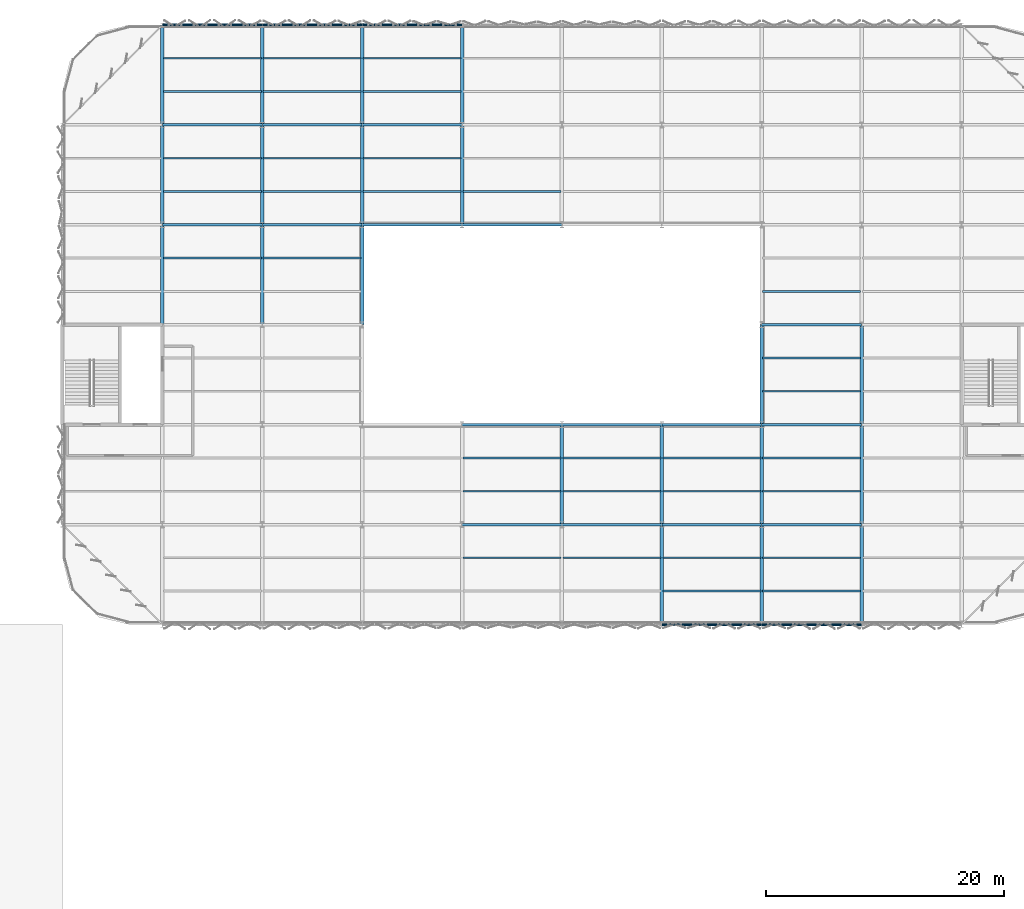
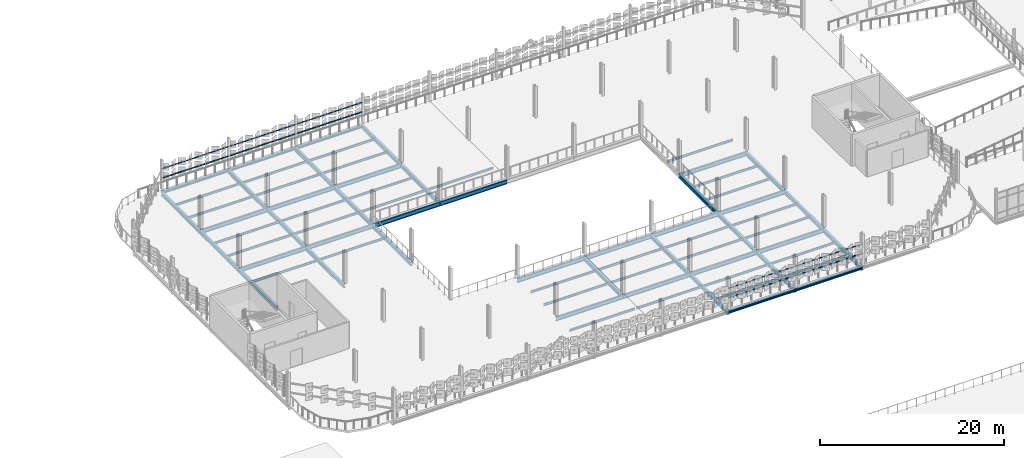
# One storey, part 28 of 69: 83 beams.
"""IFC4 building model written with IfcOpenShell, lengths in metres."""

from ifc_helpers import new_model, si_unit, direction, frame, origin, origin_2d, place, context, subcontext, project, spatial, hollow_rectangle, i_section, extrude, material, material_profile, profile_set, type_object, element, save


model = new_model("IFC4")

# Units and contexts
model_context = context("Model", 3, precision=1e-05, world=origin(), true_north=direction((0.0, 1.0)))
body_context = subcontext(model_context, "Body", "Model", "MODEL_VIEW")
ifc_project = project(units=[si_unit("LENGTHUNIT", "METRE"), si_unit("AREAUNIT", "SQUARE_METRE"), si_unit("VOLUMEUNIT", "CUBIC_METRE"), si_unit("PLANEANGLEUNIT", "RADIAN"), si_unit("MASSUNIT", "GRAM", prefix="KILO")], contexts=[model_context])

# Site, building, storey
site_placement = place(None, origin())
site = spatial("IfcSite", under=ifc_project, at=site_placement, CompositionType="ELEMENT")
building_placement = place(site_placement, origin())
building = spatial("IfcBuilding", under=site, at=building_placement, Name="Qalvenar Corner Mobility Hub", CompositionType="ELEMENT")
storey_placement = place(building_placement, frame((0.0, 0.0, 13.199951171875)))
storey = spatial("IfcBuildingStorey", under=building, at=storey_placement, Name="L03", CompositionType="ELEMENT", Elevation=13.199951171875)

# Beams
ifc_material = material(Name="Steel S355", Category="steel")
ifc_material_profile_1 = material_profile(ifc_material, i_section(OverallWidth=0.300048828125, OverallDepth=0.489990234375, WebThickness=0.011962890625, FlangeThickness=0.02294921875, FilletRadius=0.027099609375, at=origin_2d()), Name="HEA500")
ifc_profile_set_1 = profile_set([ifc_material_profile_1], Name="Steel S355")
beam_type_1 = type_object("IfcBeamType", Name="BM-HEA500", PredefinedType="BEAM", material=ifc_profile_set_1)
beam_1_placement = place(storey_placement, frame((67.199951171875, 92.39990234375, -0.48486328125), z_axis=(0.0, 1.0, 0.0), x_axis=(-1.0, 0.0, 0.0)))
element("IfcBeam", 1, at=beam_1_placement, inside=storey, type_object=beam_type_1, Name="Primary Steel Girder GY-2394", PredefinedType="BEAM", context=body_context, shape_type="SweptSolid", body=[
    extrude(i_section(OverallWidth=0.300048828125, OverallDepth=0.489990234375, WebThickness=0.011962890625, FlangeThickness=0.02294921875, FilletRadius=0.027099609375, at=origin_2d()), origin(), (0.0, 0.0, 1.0), 8.400146484375),
])
beam_2_placement = place(storey_placement, frame((67.199951171875, 100.800048828125, -0.48486328125), z_axis=(0.0, 1.0, 0.0), x_axis=(-1.0, 0.0, 0.0)))
element("IfcBeam", 2, at=beam_2_placement, inside=storey, type_object=beam_type_1, Name="Primary Steel Girder GY-2395", PredefinedType="BEAM", context=body_context, shape_type="SweptSolid", body=[
    extrude(i_section(OverallWidth=0.300048828125, OverallDepth=0.489990234375, WebThickness=0.011962890625, FlangeThickness=0.02294921875, FilletRadius=0.027099609375, at=origin_2d()), origin(), (0.0, 0.0, 1.0), 8.39990234375),
])
for number, where, z_axis, x_axis, name in (
    (3, (67.199951171875, 109.199951171875, -0.48486328125), (0.0, 1.0, 0.0), (-1.0, 0.0, 0.0), "Primary Steel Girder GY-2396"),
    (4, (75.60009765625, 92.39990234375, -0.48486328125), (0.0, 1.0, 0.0), (-1.0, 0.0, 0.0), "Primary Steel Girder GY-2400"),
):
    element("IfcBeam", number, at=place(storey_placement, frame(where, z_axis=z_axis, x_axis=x_axis)), inside=storey, type_object=beam_type_1, Name=name, PredefinedType="BEAM", context=body_context, shape_type="SweptSolid", body=[
        extrude(i_section(OverallWidth=0.300048828125, OverallDepth=0.489990234375, WebThickness=0.011962890625, FlangeThickness=0.02294921875, FilletRadius=0.027099609375, at=origin_2d()), origin(), (0.0, 0.0, 1.0), 8.400146484375),
    ])
beam_3_placement = place(storey_placement, frame((75.60009765625, 100.800048828125, -0.48486328125), z_axis=(0.0, 1.0, 0.0), x_axis=(-1.0, 0.0, 0.0)))
element("IfcBeam", 5, at=beam_3_placement, inside=storey, type_object=beam_type_1, Name="Primary Steel Girder GY-2401", PredefinedType="BEAM", context=body_context, shape_type="SweptSolid", body=[
    extrude(i_section(OverallWidth=0.300048828125, OverallDepth=0.489990234375, WebThickness=0.011962890625, FlangeThickness=0.02294921875, FilletRadius=0.027099609375, at=origin_2d()), origin(), (0.0, 0.0, 1.0), 8.39990234375),
])
for number, where, z_axis, x_axis, name in (
    (6, (75.60009765625, 109.199951171875, -0.48486328125), (0.0, 1.0, 0.0), (-1.0, 0.0, 0.0), "Primary Steel Girder GY-2402"),
    (7, (84.0, 92.39990234375, -0.48486328125), (0.0, 1.0, 0.0), (-1.0, 0.0, 0.0), "Primary Steel Girder GY-2406"),
):
    element("IfcBeam", number, at=place(storey_placement, frame(where, z_axis=z_axis, x_axis=x_axis)), inside=storey, type_object=beam_type_1, Name=name, PredefinedType="BEAM", context=body_context, shape_type="SweptSolid", body=[
        extrude(i_section(OverallWidth=0.300048828125, OverallDepth=0.489990234375, WebThickness=0.011962890625, FlangeThickness=0.02294921875, FilletRadius=0.027099609375, at=origin_2d()), origin(), (0.0, 0.0, 1.0), 8.400146484375),
    ])
beam_4_placement = place(storey_placement, frame((84.0, 100.800048828125, -0.48486328125), z_axis=(0.0, 1.0, 0.0), x_axis=(-1.0, 0.0, 0.0)))
element("IfcBeam", 8, at=beam_4_placement, inside=storey, type_object=beam_type_1, Name="Primary Steel Girder GY-2407", PredefinedType="BEAM", context=body_context, shape_type="SweptSolid", body=[
    extrude(i_section(OverallWidth=0.300048828125, OverallDepth=0.489990234375, WebThickness=0.011962890625, FlangeThickness=0.02294921875, FilletRadius=0.027099609375, at=origin_2d()), origin(), (0.0, 0.0, 1.0), 8.39990234375),
])
beam_5_placement = place(storey_placement, frame((84.0, 109.199951171875, -0.48486328125), z_axis=(0.0, 1.0, 0.0), x_axis=(-1.0, 0.0, 0.0)))
element("IfcBeam", 9, at=beam_5_placement, inside=storey, type_object=beam_type_1, Name="Primary Steel Girder GY-2408", PredefinedType="BEAM", context=body_context, shape_type="SweptSolid", body=[
    extrude(i_section(OverallWidth=0.300048828125, OverallDepth=0.489990234375, WebThickness=0.011962890625, FlangeThickness=0.02294921875, FilletRadius=0.027099609375, at=origin_2d()), origin(), (0.0, 0.0, 1.0), 8.400146484375),
])
beam_6_placement = place(storey_placement, frame((92.39990234375, 100.800048828125, -0.48486328125), z_axis=(0.0, 1.0, 0.0), x_axis=(-1.0, 0.0, 0.0)))
element("IfcBeam", 10, at=beam_6_placement, inside=storey, type_object=beam_type_1, Name="Primary Steel Girder GY-2411", PredefinedType="BEAM", context=body_context, shape_type="SweptSolid", body=[
    extrude(i_section(OverallWidth=0.300048828125, OverallDepth=0.489990234375, WebThickness=0.011962890625, FlangeThickness=0.02294921875, FilletRadius=0.027099609375, at=origin_2d()), origin(), (0.0, 0.0, 1.0), 8.39990234375),
])
beam_7_placement = place(storey_placement, frame((92.39990234375, 109.199951171875, -0.48486328125), z_axis=(0.0, 1.0, 0.0), x_axis=(-1.0, 0.0, 0.0)))
element("IfcBeam", 11, at=beam_7_placement, inside=storey, type_object=beam_type_1, Name="Primary Steel Girder GY-2412", PredefinedType="BEAM", context=body_context, shape_type="SweptSolid", body=[
    extrude(i_section(OverallWidth=0.300048828125, OverallDepth=0.489990234375, WebThickness=0.011962890625, FlangeThickness=0.02294921875, FilletRadius=0.027099609375, at=origin_2d()), origin(), (0.0, 0.0, 1.0), 8.400146484375),
])
beam_8_placement = place(storey_placement, frame((100.800048828125, 75.60009765625, -0.48486328125), z_axis=(0.0, 1.0, 0.0), x_axis=(-1.0, 0.0, 0.0)))
element("IfcBeam", 12, at=beam_8_placement, inside=storey, type_object=beam_type_1, Name="Primary Steel Girder GY-2414", PredefinedType="BEAM", context=body_context, shape_type="SweptSolid", body=[
    extrude(i_section(OverallWidth=0.300048828125, OverallDepth=0.489990234375, WebThickness=0.011962890625, FlangeThickness=0.02294921875, FilletRadius=0.027099609375, at=origin_2d()), origin(), (0.0, 0.0, 1.0), 8.39990234375),
])
beam_9_placement = place(storey_placement, frame((109.199951171875, 67.199951171875, -0.48486328125), z_axis=(0.0, 1.0, 0.0), x_axis=(-1.0, 0.0, 0.0)))
element("IfcBeam", 13, at=beam_9_placement, inside=storey, type_object=beam_type_1, Name="Primary Steel Girder GY-2417", PredefinedType="BEAM", context=body_context, shape_type="SweptSolid", body=[
    extrude(i_section(OverallWidth=0.300048828125, OverallDepth=0.489990234375, WebThickness=0.011962890625, FlangeThickness=0.02294921875, FilletRadius=0.027099609375, at=origin_2d()), origin(), (0.0, 0.0, 1.0), 8.400146484375),
])
beam_10_placement = place(storey_placement, frame((109.199951171875, 75.60009765625, -0.48486328125), z_axis=(0.0, 1.0, 0.0), x_axis=(-1.0, 0.0, 0.0)))
element("IfcBeam", 14, at=beam_10_placement, inside=storey, type_object=beam_type_1, Name="Primary Steel Girder GY-2418", PredefinedType="BEAM", context=body_context, shape_type="SweptSolid", body=[
    extrude(i_section(OverallWidth=0.300048828125, OverallDepth=0.489990234375, WebThickness=0.011962890625, FlangeThickness=0.02294921875, FilletRadius=0.027099609375, at=origin_2d()), origin(), (0.0, 0.0, 1.0), 8.39990234375),
])
beam_11_placement = place(storey_placement, frame((117.60009765625, 67.199951171875, -0.48486328125), z_axis=(0.0, 1.0, 0.0), x_axis=(-1.0, 0.0, 0.0)))
element("IfcBeam", 15, at=beam_11_placement, inside=storey, type_object=beam_type_1, Name="Primary Steel Girder GY-2421", PredefinedType="BEAM", context=body_context, shape_type="SweptSolid", body=[
    extrude(i_section(OverallWidth=0.300048828125, OverallDepth=0.489990234375, WebThickness=0.011962890625, FlangeThickness=0.02294921875, FilletRadius=0.027099609375, at=origin_2d()), origin(), (0.0, 0.0, 1.0), 8.400146484375),
])
for number, where, z_axis, x_axis, name in (
    (16, (117.60009765625, 75.60009765625, -0.48486328125), (0.0, 1.0, 0.0), (-1.0, 0.0, 0.0), "Primary Steel Girder GY-2422"),
    (17, (117.60009765625, 84.0, -0.48486328125), (0.0, 1.0, 0.0), (-1.0, 0.0, 0.0), "Primary Steel Girder GY-2423"),
):
    element("IfcBeam", number, at=place(storey_placement, frame(where, z_axis=z_axis, x_axis=x_axis)), inside=storey, type_object=beam_type_1, Name=name, PredefinedType="BEAM", context=body_context, shape_type="SweptSolid", body=[
        extrude(i_section(OverallWidth=0.300048828125, OverallDepth=0.489990234375, WebThickness=0.011962890625, FlangeThickness=0.02294921875, FilletRadius=0.027099609375, at=origin_2d()), origin(), (0.0, 0.0, 1.0), 8.39990234375),
    ])
beam_12_placement = place(storey_placement, frame((126.0, 67.199951171875, -0.48486328125), z_axis=(0.0, 1.0, 0.0), x_axis=(-1.0, 0.0, 0.0)))
element("IfcBeam", 18, at=beam_12_placement, inside=storey, type_object=beam_type_1, Name="Primary Steel Girder GY-2427", PredefinedType="BEAM", context=body_context, shape_type="SweptSolid", body=[
    extrude(i_section(OverallWidth=0.300048828125, OverallDepth=0.489990234375, WebThickness=0.011962890625, FlangeThickness=0.02294921875, FilletRadius=0.027099609375, at=origin_2d()), origin(), (0.0, 0.0, 1.0), 8.400146484375),
])
for number, where, z_axis, x_axis, name in (
    (19, (126.0, 75.60009765625, -0.48486328125), (0.0, 1.0, 0.0), (-1.0, 0.0, 0.0), "Primary Steel Girder GY-2428"),
    (20, (126.0, 84.0, -0.48486328125), (0.0, 1.0, 0.0), (-1.0, 0.0, 0.0), "Primary Steel Girder GY-2429"),
):
    element("IfcBeam", number, at=place(storey_placement, frame(where, z_axis=z_axis, x_axis=x_axis)), inside=storey, type_object=beam_type_1, Name=name, PredefinedType="BEAM", context=body_context, shape_type="SweptSolid", body=[
        extrude(i_section(OverallWidth=0.300048828125, OverallDepth=0.489990234375, WebThickness=0.011962890625, FlangeThickness=0.02294921875, FilletRadius=0.027099609375, at=origin_2d()), origin(), (0.0, 0.0, 1.0), 8.39990234375),
    ])
ifc_material_profile_2 = material_profile(ifc_material, i_section(OverallWidth=0.2099609375, OverallDepth=0.550048828125, WebThickness=0.010986328125, FlangeThickness=0.01708984375, FilletRadius=0.02392578125, at=origin_2d()), Name="IPE550")
ifc_profile_set_2 = profile_set([ifc_material_profile_2], Name="Steel S355")
beam_type_2 = type_object("IfcBeamType", Name="BM-IPE550", PredefinedType="BEAM", material=ifc_profile_set_2)
beam_13_placement = place(storey_placement, frame((92.39990234375, 75.60009765625, -0.514892578125), z_axis=(1.0, 0.0, 0.0), x_axis=(0.0, 1.0, 0.0)))
element("IfcBeam", 21, at=beam_13_placement, inside=storey, type_object=beam_type_2, Name="Primary Steel Girder GX-2337", PredefinedType="BEAM", context=body_context, shape_type="SweptSolid", body=[
    extrude(i_section(OverallWidth=0.2099609375, OverallDepth=0.550048828125, WebThickness=0.010986328125, FlangeThickness=0.01708984375, FilletRadius=0.02392578125, at=origin_2d()), origin(), (0.0, 0.0, 1.0), 8.400146484375),
])
beam_14_placement = place(storey_placement, frame((100.800048828125, 75.60009765625, -0.514892578125), z_axis=(1.0, 0.0, 0.0), x_axis=(0.0, 1.0, 0.0)))
element("IfcBeam", 22, at=beam_14_placement, inside=storey, type_object=beam_type_2, Name="Primary Steel Girder GX-2338", PredefinedType="BEAM", context=body_context, shape_type="SweptSolid", body=[
    extrude(i_section(OverallWidth=0.2099609375, OverallDepth=0.550048828125, WebThickness=0.010986328125, FlangeThickness=0.01708984375, FilletRadius=0.02392578125, at=origin_2d()), origin(), (0.0, 0.0, 1.0), 8.39990234375),
])
beam_15_placement = place(storey_placement, frame((109.199951171875, 75.60009765625, -0.514892578125), z_axis=(1.0, 0.0, 0.0), x_axis=(0.0, 1.0, 0.0)))
element("IfcBeam", 23, at=beam_15_placement, inside=storey, type_object=beam_type_2, Name="Primary Steel Girder GX-2339", PredefinedType="BEAM", context=body_context, shape_type="SweptSolid", body=[
    extrude(i_section(OverallWidth=0.2099609375, OverallDepth=0.550048828125, WebThickness=0.010986328125, FlangeThickness=0.01708984375, FilletRadius=0.02392578125, at=origin_2d()), origin(), (0.0, 0.0, 1.0), 8.400146484375),
])
beam_16_placement = place(storey_placement, frame((117.60009765625, 75.60009765625, -0.514892578125), z_axis=(1.0, 0.0, 0.0), x_axis=(0.0, 1.0, 0.0)))
element("IfcBeam", 24, at=beam_16_placement, inside=storey, type_object=beam_type_2, Name="Primary Steel Girder GX-2340", PredefinedType="BEAM", context=body_context, shape_type="SweptSolid", body=[
    extrude(i_section(OverallWidth=0.2099609375, OverallDepth=0.550048828125, WebThickness=0.010986328125, FlangeThickness=0.01708984375, FilletRadius=0.02392578125, at=origin_2d()), origin(), (0.0, 0.0, 1.0), 8.39990234375),
])
beam_17_placement = place(storey_placement, frame((92.39990234375, 84.0, -0.514892578125), z_axis=(1.0, 0.0, 0.0), x_axis=(0.0, 1.0, 0.0)))
element("IfcBeam", 25, at=beam_17_placement, inside=storey, type_object=beam_type_2, Name="Primary Steel Girder GX-2347", PredefinedType="BEAM", context=body_context, shape_type="SweptSolid", body=[
    extrude(i_section(OverallWidth=0.2099609375, OverallDepth=0.550048828125, WebThickness=0.010986328125, FlangeThickness=0.01708984375, FilletRadius=0.02392578125, at=origin_2d()), origin(), (0.0, 0.0, 1.0), 8.400146484375),
])
beam_18_placement = place(storey_placement, frame((100.800048828125, 84.0, -0.514892578125), z_axis=(1.0, 0.0, 0.0), x_axis=(0.0, 1.0, 0.0)))
element("IfcBeam", 26, at=beam_18_placement, inside=storey, type_object=beam_type_2, Name="Primary Steel Girder GX-2348", PredefinedType="BEAM", context=body_context, shape_type="SweptSolid", body=[
    extrude(i_section(OverallWidth=0.2099609375, OverallDepth=0.550048828125, WebThickness=0.010986328125, FlangeThickness=0.01708984375, FilletRadius=0.02392578125, at=origin_2d()), origin(), (0.0, 0.0, 1.0), 8.39990234375),
])
beam_19_placement = place(storey_placement, frame((109.199951171875, 84.0, -0.514892578125), z_axis=(1.0, 0.0, 0.0), x_axis=(0.0, 1.0, 0.0)))
element("IfcBeam", 27, at=beam_19_placement, inside=storey, type_object=beam_type_2, Name="Primary Steel Girder GX-2349", PredefinedType="BEAM", context=body_context, shape_type="SweptSolid", body=[
    extrude(i_section(OverallWidth=0.2099609375, OverallDepth=0.550048828125, WebThickness=0.010986328125, FlangeThickness=0.01708984375, FilletRadius=0.02392578125, at=origin_2d()), origin(), (0.0, 0.0, 1.0), 8.400146484375),
])
for number, where, z_axis, x_axis, name in (
    (28, (117.60009765625, 84.0, -0.514892578125), (1.0, 0.0, 0.0), (0.0, 1.0, 0.0), "Primary Steel Girder GX-2350"),
    (29, (117.60009765625, 92.39990234375, -0.514892578125), (1.0, 0.0, 0.0), (0.0, 1.0, 0.0), "Primary Steel Girder GX-2356"),
):
    element("IfcBeam", number, at=place(storey_placement, frame(where, z_axis=z_axis, x_axis=x_axis)), inside=storey, type_object=beam_type_2, Name=name, PredefinedType="BEAM", context=body_context, shape_type="SweptSolid", body=[
        extrude(i_section(OverallWidth=0.2099609375, OverallDepth=0.550048828125, WebThickness=0.010986328125, FlangeThickness=0.01708984375, FilletRadius=0.02392578125, at=origin_2d()), origin(), (0.0, 0.0, 1.0), 8.39990234375),
    ])
beam_20_placement = place(storey_placement, frame((67.199951171875, 100.800048828125, -0.514892578125), z_axis=(1.0, 0.0, 0.0), x_axis=(0.0, 1.0, 0.0)))
element("IfcBeam", 30, at=beam_20_placement, inside=storey, type_object=beam_type_2, Name="Primary Steel Girder GX-2360", PredefinedType="BEAM", context=body_context, shape_type="SweptSolid", body=[
    extrude(i_section(OverallWidth=0.2099609375, OverallDepth=0.550048828125, WebThickness=0.010986328125, FlangeThickness=0.01708984375, FilletRadius=0.02392578125, at=origin_2d()), origin(), (0.0, 0.0, 1.0), 8.400146484375),
])
for number, where, z_axis, x_axis, name in (
    (31, (75.60009765625, 100.800048828125, -0.514892578125), (1.0, 0.0, 0.0), (0.0, 1.0, 0.0), "Primary Steel Girder GX-2361"),
    (32, (84.0, 100.800048828125, -0.514892578125), (1.0, 0.0, 0.0), (0.0, 1.0, 0.0), "Primary Steel Girder GX-2362"),
):
    element("IfcBeam", number, at=place(storey_placement, frame(where, z_axis=z_axis, x_axis=x_axis)), inside=storey, type_object=beam_type_2, Name=name, PredefinedType="BEAM", context=body_context, shape_type="SweptSolid", body=[
        extrude(i_section(OverallWidth=0.2099609375, OverallDepth=0.550048828125, WebThickness=0.010986328125, FlangeThickness=0.01708984375, FilletRadius=0.02392578125, at=origin_2d()), origin(), (0.0, 0.0, 1.0), 8.39990234375),
    ])
for number, where, z_axis, x_axis, name in (
    (33, (92.39990234375, 100.800048828125, -0.514892578125), (1.0, 0.0, 0.0), (0.0, 1.0, 0.0), "Primary Steel Girder GX-2363"),
    (34, (67.199951171875, 109.199951171875, -0.514892578125), (1.0, 0.0, 0.0), (0.0, 1.0, 0.0), "Primary Steel Girder GX-2370"),
):
    element("IfcBeam", number, at=place(storey_placement, frame(where, z_axis=z_axis, x_axis=x_axis)), inside=storey, type_object=beam_type_2, Name=name, PredefinedType="BEAM", context=body_context, shape_type="SweptSolid", body=[
        extrude(i_section(OverallWidth=0.2099609375, OverallDepth=0.550048828125, WebThickness=0.010986328125, FlangeThickness=0.01708984375, FilletRadius=0.02392578125, at=origin_2d()), origin(), (0.0, 0.0, 1.0), 8.400146484375),
    ])
for number, where, z_axis, x_axis, name in (
    (35, (75.60009765625, 109.199951171875, -0.514892578125), (1.0, 0.0, 0.0), (0.0, 1.0, 0.0), "Primary Steel Girder GX-2371"),
    (36, (84.0, 109.199951171875, -0.514892578125), (1.0, 0.0, 0.0), (0.0, 1.0, 0.0), "Primary Steel Girder GX-2372"),
):
    element("IfcBeam", number, at=place(storey_placement, frame(where, z_axis=z_axis, x_axis=x_axis)), inside=storey, type_object=beam_type_2, Name=name, PredefinedType="BEAM", context=body_context, shape_type="SweptSolid", body=[
        extrude(i_section(OverallWidth=0.2099609375, OverallDepth=0.550048828125, WebThickness=0.010986328125, FlangeThickness=0.01708984375, FilletRadius=0.02392578125, at=origin_2d()), origin(), (0.0, 0.0, 1.0), 8.39990234375),
    ])
ifc_material_profile_3 = material_profile(ifc_material, i_section(OverallWidth=0.14990234375, OverallDepth=0.300048828125, WebThickness=0.007080078125, FlangeThickness=0.0107421875, FilletRadius=0.014892578125, at=origin_2d()), Name="IPE300")
ifc_profile_set_3 = profile_set([ifc_material_profile_3], Name="Steel S355")
beam_type_3 = type_object("IfcBeamType", Name="BM-JST300", PredefinedType="JOIST", material=ifc_profile_set_3)
for number, where, z_axis, x_axis, name in (
    (37, (67.278076171875, 98.0, -0.389892578125), (1.0, 0.0, 0.0), (0.0, 1.0, 0.0), "Composite Floor Joist J-2456"),
    (38, (67.278076171875, 103.60009765625, -0.389892578125), (1.0, 0.0, 0.0), (0.0, 1.0, 0.0), "Composite Floor Joist J-2457"),
    (39, (67.278076171875, 106.39990234375, -0.389892578125), (1.0, 0.0, 0.0), (0.0, 1.0, 0.0), "Composite Floor Joist J-2458"),
    (40, (67.278076171875, 112.0, -0.389892578125), (1.0, 0.0, 0.0), (0.0, 1.0, 0.0), "Composite Floor Joist J-2459"),
    (41, (67.278076171875, 114.800048828125, -0.389892578125), (1.0, 0.0, 0.0), (0.0, 1.0, 0.0), "Composite Floor Joist J-2460"),
):
    element("IfcBeam", number, at=place(storey_placement, frame(where, z_axis=z_axis, x_axis=x_axis)), inside=storey, type_object=beam_type_3, Name=name, PredefinedType="JOIST", context=body_context, shape_type="SweptSolid", body=[
        extrude(i_section(OverallWidth=0.14990234375, OverallDepth=0.300048828125, WebThickness=0.007080078125, FlangeThickness=0.0107421875, FilletRadius=0.014892578125, at=origin_2d()), origin(), (0.0, 0.0, 1.0), 8.243896484375),
    ])
for number, where, z_axis, x_axis, name in (
    (42, (75.677978515625, 98.0, -0.389892578125), (1.0, 0.0, 0.0), (0.0, 1.0, 0.0), "Composite Floor Joist J-2468"),
    (43, (75.677978515625, 103.60009765625, -0.389892578125), (1.0, 0.0, 0.0), (0.0, 1.0, 0.0), "Composite Floor Joist J-2469"),
    (44, (75.677978515625, 106.39990234375, -0.389892578125), (1.0, 0.0, 0.0), (0.0, 1.0, 0.0), "Composite Floor Joist J-2470"),
    (45, (75.677978515625, 112.0, -0.389892578125), (1.0, 0.0, 0.0), (0.0, 1.0, 0.0), "Composite Floor Joist J-2471"),
    (46, (75.677978515625, 114.800048828125, -0.389892578125), (1.0, 0.0, 0.0), (0.0, 1.0, 0.0), "Composite Floor Joist J-2472"),
    (47, (84.077880859375, 103.60009765625, -0.389892578125), (1.0, 0.0, 0.0), (0.0, 1.0, 0.0), "Composite Floor Joist J-2477"),
    (48, (84.077880859375, 106.39990234375, -0.389892578125), (1.0, 0.0, 0.0), (0.0, 1.0, 0.0), "Composite Floor Joist J-2478"),
    (49, (84.077880859375, 112.0, -0.389892578125), (1.0, 0.0, 0.0), (0.0, 1.0, 0.0), "Composite Floor Joist J-2479"),
    (50, (84.077880859375, 114.800048828125, -0.389892578125), (1.0, 0.0, 0.0), (0.0, 1.0, 0.0), "Composite Floor Joist J-2480"),
):
    element("IfcBeam", number, at=place(storey_placement, frame(where, z_axis=z_axis, x_axis=x_axis)), inside=storey, type_object=beam_type_3, Name=name, PredefinedType="JOIST", context=body_context, shape_type="SweptSolid", body=[
        extrude(i_section(OverallWidth=0.14990234375, OverallDepth=0.300048828125, WebThickness=0.007080078125, FlangeThickness=0.0107421875, FilletRadius=0.014892578125, at=origin_2d()), origin(), (0.0, 0.0, 1.0), 8.244140625),
    ])
for number, where, z_axis, x_axis, name in (
    (51, (92.47802734375, 72.800048828125, -0.389892578125), (1.0, 0.0, 0.0), (0.0, 1.0, 0.0), "Composite Floor Joist J-2482"),
    (52, (92.47802734375, 78.39990234375, -0.389892578125), (1.0, 0.0, 0.0), (0.0, 1.0, 0.0), "Composite Floor Joist J-2483"),
    (53, (92.47802734375, 81.199951171875, -0.389892578125), (1.0, 0.0, 0.0), (0.0, 1.0, 0.0), "Composite Floor Joist J-2484"),
    (54, (92.47802734375, 103.60009765625, -0.389892578125), (1.0, 0.0, 0.0), (0.0, 1.0, 0.0), "Composite Floor Joist J-2485"),
):
    element("IfcBeam", number, at=place(storey_placement, frame(where, z_axis=z_axis, x_axis=x_axis)), inside=storey, type_object=beam_type_3, Name=name, PredefinedType="JOIST", context=body_context, shape_type="SweptSolid", body=[
        extrude(i_section(OverallWidth=0.14990234375, OverallDepth=0.300048828125, WebThickness=0.007080078125, FlangeThickness=0.0107421875, FilletRadius=0.014892578125, at=origin_2d()), origin(), (0.0, 0.0, 1.0), 8.243896484375),
    ])
for number, where, z_axis, x_axis, name in (
    (55, (100.8779296875, 72.800048828125, -0.389892578125), (1.0, 0.0, 0.0), (0.0, 1.0, 0.0), "Composite Floor Joist J-2490"),
    (56, (100.8779296875, 78.39990234375, -0.389892578125), (1.0, 0.0, 0.0), (0.0, 1.0, 0.0), "Composite Floor Joist J-2491"),
    (57, (100.8779296875, 81.199951171875, -0.389892578125), (1.0, 0.0, 0.0), (0.0, 1.0, 0.0), "Composite Floor Joist J-2492"),
):
    element("IfcBeam", number, at=place(storey_placement, frame(where, z_axis=z_axis, x_axis=x_axis)), inside=storey, type_object=beam_type_3, Name=name, PredefinedType="JOIST", context=body_context, shape_type="SweptSolid", body=[
        extrude(i_section(OverallWidth=0.14990234375, OverallDepth=0.300048828125, WebThickness=0.007080078125, FlangeThickness=0.0107421875, FilletRadius=0.014892578125, at=origin_2d()), origin(), (0.0, 0.0, 1.0), 8.244140625),
    ])
for number, where, z_axis, x_axis, name in (
    (58, (109.278076171875, 70.0, -0.389892578125), (1.0, 0.0, 0.0), (0.0, 1.0, 0.0), "Composite Floor Joist J-2497"),
    (59, (109.278076171875, 72.800048828125, -0.389892578125), (1.0, 0.0, 0.0), (0.0, 1.0, 0.0), "Composite Floor Joist J-2498"),
    (60, (109.278076171875, 78.39990234375, -0.389892578125), (1.0, 0.0, 0.0), (0.0, 1.0, 0.0), "Composite Floor Joist J-2499"),
    (61, (109.278076171875, 81.199951171875, -0.389892578125), (1.0, 0.0, 0.0), (0.0, 1.0, 0.0), "Composite Floor Joist J-2500"),
):
    element("IfcBeam", number, at=place(storey_placement, frame(where, z_axis=z_axis, x_axis=x_axis)), inside=storey, type_object=beam_type_3, Name=name, PredefinedType="JOIST", context=body_context, shape_type="SweptSolid", body=[
        extrude(i_section(OverallWidth=0.14990234375, OverallDepth=0.300048828125, WebThickness=0.007080078125, FlangeThickness=0.0107421875, FilletRadius=0.014892578125, at=origin_2d()), origin(), (0.0, 0.0, 1.0), 8.243896484375),
    ])
for number, where, z_axis, x_axis, name in (
    (62, (117.677978515625, 70.0, -0.389892578125), (1.0, 0.0, 0.0), (0.0, 1.0, 0.0), "Composite Floor Joist J-2505"),
    (63, (117.677978515625, 72.800048828125, -0.389892578125), (1.0, 0.0, 0.0), (0.0, 1.0, 0.0), "Composite Floor Joist J-2506"),
    (64, (117.677978515625, 78.39990234375, -0.389892578125), (1.0, 0.0, 0.0), (0.0, 1.0, 0.0), "Composite Floor Joist J-2507"),
    (65, (117.677978515625, 81.199951171875, -0.389892578125), (1.0, 0.0, 0.0), (0.0, 1.0, 0.0), "Composite Floor Joist J-2508"),
    (66, (117.677978515625, 86.800048828125, -0.389892578125), (1.0, 0.0, 0.0), (0.0, 1.0, 0.0), "Composite Floor Joist J-2509"),
    (67, (117.677978515625, 89.60009765625, -0.389892578125), (1.0, 0.0, 0.0), (0.0, 1.0, 0.0), "Composite Floor Joist J-2510"),
    (68, (117.677978515625, 95.199951171875, -0.389892578125), (1.0, 0.0, 0.0), (0.0, 1.0, 0.0), "Composite Floor Joist J-2511"),
):
    element("IfcBeam", number, at=place(storey_placement, frame(where, z_axis=z_axis, x_axis=x_axis)), inside=storey, type_object=beam_type_3, Name=name, PredefinedType="JOIST", context=body_context, shape_type="SweptSolid", body=[
        extrude(i_section(OverallWidth=0.14990234375, OverallDepth=0.300048828125, WebThickness=0.007080078125, FlangeThickness=0.0107421875, FilletRadius=0.014892578125, at=origin_2d()), origin(), (0.0, 0.0, 1.0), 8.244140625),
    ])
ifc_material_profile_4 = material_profile(ifc_material, i_section(OverallWidth=0.300048828125, OverallDepth=0.2900390625, WebThickness=0.008544921875, FlangeThickness=0.013916015625, FilletRadius=0.027099609375, at=origin_2d()), Name="HEA300")
ifc_profile_set_4 = profile_set([ifc_material_profile_4], Name="Steel S355")
beam_type_4 = type_object("IfcBeamType", Name="BM-SPN300", PredefinedType="SPANDREL", material=ifc_profile_set_4)
beam_21_placement = place(storey_placement, frame((109.199951171875, 67.199951171875, -0.385009765625), z_axis=(1.0, 0.0, 0.0), x_axis=(0.0, 1.0, 0.0)))
element("IfcBeam", 69, at=beam_21_placement, inside=storey, type_object=beam_type_4, Name="Primary Steel Girder GX-2330", PredefinedType="SPANDREL", context=body_context, shape_type="SweptSolid", body=[
    extrude(i_section(OverallWidth=0.300048828125, OverallDepth=0.2900390625, WebThickness=0.008544921875, FlangeThickness=0.013916015625, FilletRadius=0.027099609375, at=origin_2d()), origin(), (0.0, 0.0, 1.0), 8.400146484375),
])
beam_22_placement = place(storey_placement, frame((117.60009765625, 67.199951171875, -0.385009765625), z_axis=(1.0, 0.0, 0.0), x_axis=(0.0, 1.0, 0.0)))
element("IfcBeam", 70, at=beam_22_placement, inside=storey, type_object=beam_type_4, Name="Primary Steel Girder GX-2331", PredefinedType="SPANDREL", context=body_context, shape_type="SweptSolid", body=[
    extrude(i_section(OverallWidth=0.300048828125, OverallDepth=0.2900390625, WebThickness=0.008544921875, FlangeThickness=0.013916015625, FilletRadius=0.027099609375, at=origin_2d()), origin(), (0.0, 0.0, 1.0), 8.39990234375),
])
beam_23_placement = place(storey_placement, frame((67.199951171875, 117.60009765625, -0.385009765625), z_axis=(1.0, 0.0, 0.0), x_axis=(0.0, 1.0, 0.0)))
element("IfcBeam", 71, at=beam_23_placement, inside=storey, type_object=beam_type_4, Name="Primary Steel Girder GX-2379", PredefinedType="SPANDREL", context=body_context, shape_type="SweptSolid", body=[
    extrude(i_section(OverallWidth=0.300048828125, OverallDepth=0.2900390625, WebThickness=0.008544921875, FlangeThickness=0.013916015625, FilletRadius=0.027099609375, at=origin_2d()), origin(), (0.0, 0.0, 1.0), 8.400146484375),
])
for number, where, z_axis, x_axis, name in (
    (72, (75.60009765625, 117.60009765625, -0.385009765625), (1.0, 0.0, 0.0), (0.0, 1.0, 0.0), "Primary Steel Girder GX-2380"),
    (73, (84.0, 117.60009765625, -0.385009765625), (1.0, 0.0, 0.0), (0.0, 1.0, 0.0), "Primary Steel Girder GX-2381"),
):
    element("IfcBeam", number, at=place(storey_placement, frame(where, z_axis=z_axis, x_axis=x_axis)), inside=storey, type_object=beam_type_4, Name=name, PredefinedType="SPANDREL", context=body_context, shape_type="SweptSolid", body=[
        extrude(i_section(OverallWidth=0.300048828125, OverallDepth=0.2900390625, WebThickness=0.008544921875, FlangeThickness=0.013916015625, FilletRadius=0.027099609375, at=origin_2d()), origin(), (0.0, 0.0, 1.0), 8.39990234375),
    ])
ifc_material_profile_5 = material_profile(ifc_material, hollow_rectangle(XDim=0.080078125, YDim=0.1201171875, WallThickness=0.0048828125, InnerFilletRadius=0.0048828125, OuterFilletRadius=0.010009765625, at=origin_2d()), Name="RHS120x80x5")
ifc_profile_set_5 = profile_set([ifc_material_profile_5], Name="Steel S355")
beam_type_5 = type_object("IfcBeamType", Name="FR-RAIL120", PredefinedType="SPANDREL", material=ifc_profile_set_5)
beam_24_placement = place(storey_placement, frame((109.199951171875, 67.199951171875, 2.75), z_axis=(1.0, 0.0, 0.0), x_axis=(0.0, 1.0, 0.0)))
element("IfcBeam", 74, at=beam_24_placement, inside=storey, type_object=beam_type_5, Name="Facade Hinge Support Rail FR-L03-0108", PredefinedType="SPANDREL", context=body_context, shape_type="SweptSolid", body=[
    extrude(hollow_rectangle(XDim=0.080078125, YDim=0.1201171875, WallThickness=0.0048828125, InnerFilletRadius=0.0048828125, OuterFilletRadius=0.010009765625, at=origin_2d()), origin(), (0.0, 0.0, 1.0), 8.400146484375),
])
for number, where, z_axis, x_axis, name in (
    (75, (117.60009765625, 67.199951171875, 2.75), (1.0, 0.0, 0.0), (0.0, 1.0, 0.0), "Facade Hinge Support Rail FR-L03-0110"),
    (76, (92.39990234375, 117.60009765625, 2.75), (-1.0, 0.0, 0.0), (0.0, -1.0, 0.0), "Facade Hinge Support Rail FR-L03-0124"),
    (77, (84.0, 117.60009765625, 2.75), (-1.0, 0.0, 0.0), (0.0, -1.0, 0.0), "Facade Hinge Support Rail FR-L03-0126"),
):
    element("IfcBeam", number, at=place(storey_placement, frame(where, z_axis=z_axis, x_axis=x_axis)), inside=storey, type_object=beam_type_5, Name=name, PredefinedType="SPANDREL", context=body_context, shape_type="SweptSolid", body=[
        extrude(hollow_rectangle(XDim=0.080078125, YDim=0.1201171875, WallThickness=0.0048828125, InnerFilletRadius=0.0048828125, OuterFilletRadius=0.010009765625, at=origin_2d()), origin(), (0.0, 0.0, 1.0), 8.39990234375),
    ])
beam_25_placement = place(storey_placement, frame((75.60009765625, 117.60009765625, 2.75), z_axis=(-1.0, 0.0, 0.0), x_axis=(0.0, -1.0, 0.0)))
element("IfcBeam", 78, at=beam_25_placement, inside=storey, type_object=beam_type_5, Name="Facade Hinge Support Rail FR-L03-0128", PredefinedType="SPANDREL", context=body_context, shape_type="SweptSolid", body=[
    extrude(hollow_rectangle(XDim=0.080078125, YDim=0.1201171875, WallThickness=0.0048828125, InnerFilletRadius=0.0048828125, OuterFilletRadius=0.010009765625, at=origin_2d()), origin(), (0.0, 0.0, 1.0), 8.400146484375),
])
ifc_material_profile_6 = material_profile(ifc_material, hollow_rectangle(XDim=0.10009765625, YDim=0.14990234375, WallThickness=0.00634765625, InnerFilletRadius=0.00634765625, OuterFilletRadius=0.0126953125, at=origin_2d()), Name="RHS150x100x6.3")
ifc_profile_set_6 = profile_set([ifc_material_profile_6], Name="Steel S355")
beam_type_6 = type_object("IfcBeamType", Name="FR-RAIL150", PredefinedType="SPANDREL", material=ifc_profile_set_6)
beam_26_placement = place(storey_placement, frame((109.199951171875, 67.199951171875, 1.5), z_axis=(1.0, 0.0, 0.0), x_axis=(0.0, 1.0, 0.0)))
element("IfcBeam", 79, at=beam_26_placement, inside=storey, type_object=beam_type_6, Name="Facade Hinge Support Rail FR-L03-0107", PredefinedType="SPANDREL", context=body_context, shape_type="SweptSolid", body=[
    extrude(hollow_rectangle(XDim=0.10009765625, YDim=0.14990234375, WallThickness=0.00634765625, InnerFilletRadius=0.00634765625, OuterFilletRadius=0.0126953125, at=origin_2d()), origin(), (0.0, 0.0, 1.0), 8.400146484375),
])
for number, where, z_axis, x_axis, name in (
    (80, (117.60009765625, 67.199951171875, 1.5), (1.0, 0.0, 0.0), (0.0, 1.0, 0.0), "Facade Hinge Support Rail FR-L03-0109"),
    (81, (92.39990234375, 117.60009765625, 1.5), (-1.0, 0.0, 0.0), (0.0, -1.0, 0.0), "Facade Hinge Support Rail FR-L03-0123"),
    (82, (84.0, 117.60009765625, 1.5), (-1.0, 0.0, 0.0), (0.0, -1.0, 0.0), "Facade Hinge Support Rail FR-L03-0125"),
):
    element("IfcBeam", number, at=place(storey_placement, frame(where, z_axis=z_axis, x_axis=x_axis)), inside=storey, type_object=beam_type_6, Name=name, PredefinedType="SPANDREL", context=body_context, shape_type="SweptSolid", body=[
        extrude(hollow_rectangle(XDim=0.10009765625, YDim=0.14990234375, WallThickness=0.00634765625, InnerFilletRadius=0.00634765625, OuterFilletRadius=0.0126953125, at=origin_2d()), origin(), (0.0, 0.0, 1.0), 8.39990234375),
    ])
beam_27_placement = place(storey_placement, frame((75.60009765625, 117.60009765625, 1.5), z_axis=(-1.0, 0.0, 0.0), x_axis=(0.0, -1.0, 0.0)))
element("IfcBeam", 83, at=beam_27_placement, inside=storey, type_object=beam_type_6, Name="Facade Hinge Support Rail FR-L03-0127", PredefinedType="SPANDREL", context=body_context, shape_type="SweptSolid", body=[
    extrude(hollow_rectangle(XDim=0.10009765625, YDim=0.14990234375, WallThickness=0.00634765625, InnerFilletRadius=0.00634765625, OuterFilletRadius=0.0126953125, at=origin_2d()), origin(), (0.0, 0.0, 1.0), 8.400146484375),
])

save(model, "model.ifc")
